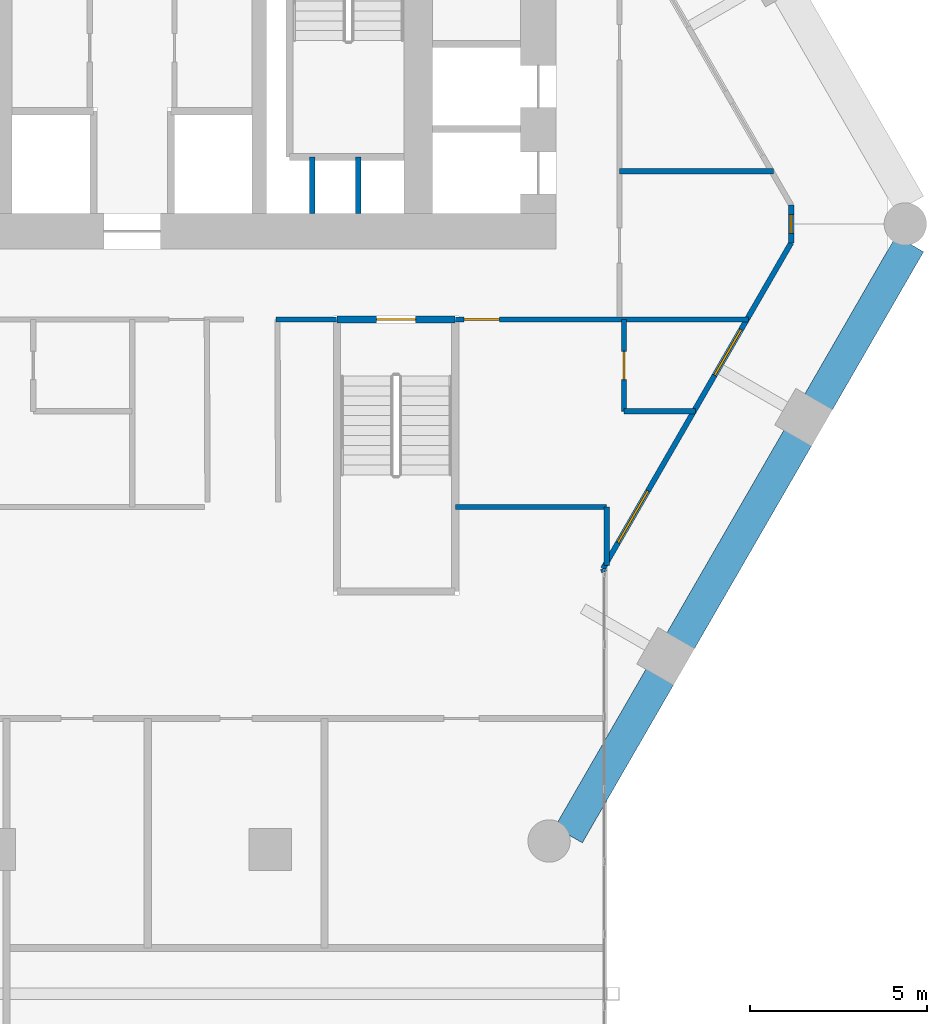
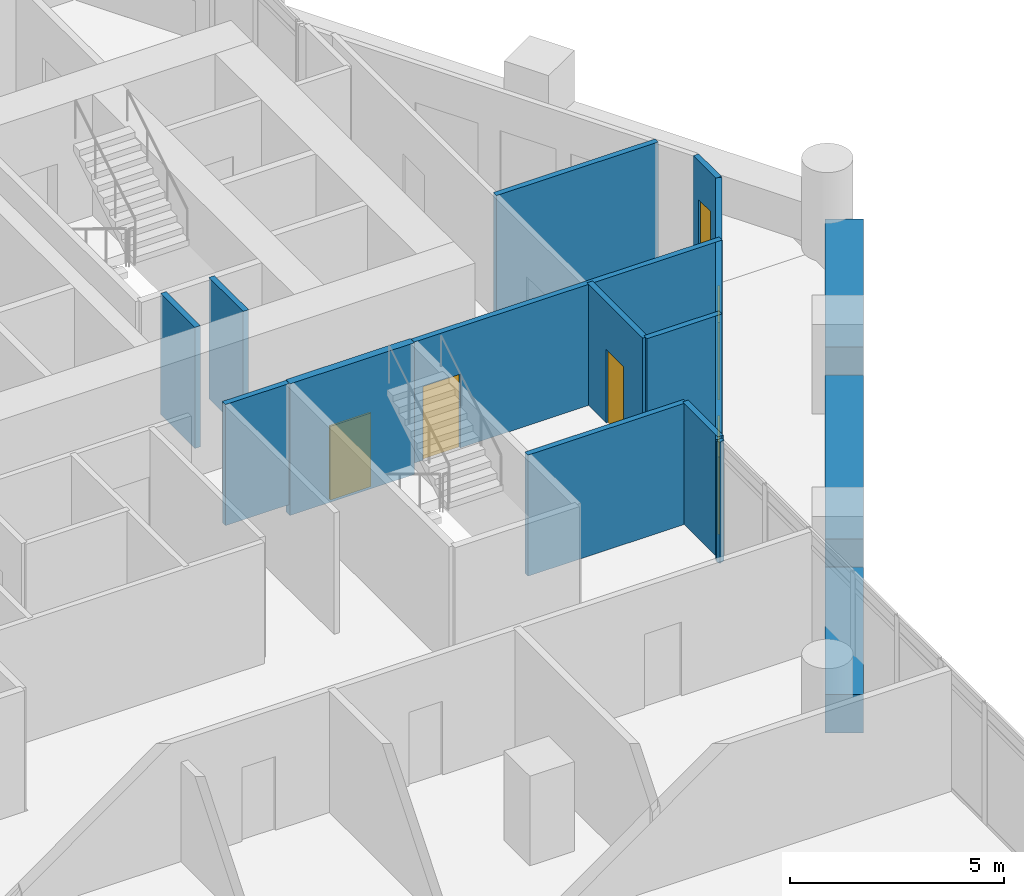
# One storey, part 24 of 28: 16 walls, 3 doors, 3 windows, 6 openings.
"""IFC4 building model written with IfcOpenShell, lengths in metres."""

from ifc_helpers import new_model, si_unit, direction, frame, frame_2d, origin, place, context, subcontext, project, spatial, rectangle, extrude, material, layer, layer_set, type_object, element, fill, save


model = new_model("IFC4")

# Units and contexts
model_context = context("Model", 3, precision=1e-05, world=origin(), true_north=direction((0.0, 1.0)))
body_context = subcontext(model_context, "Body", "Model", "MODEL_VIEW")
ifc_project = project(units=[si_unit("LENGTHUNIT", "METRE"), si_unit("AREAUNIT", "SQUARE_METRE"), si_unit("VOLUMEUNIT", "CUBIC_METRE"), si_unit("PLANEANGLEUNIT", "RADIAN"), si_unit("MASSUNIT", "GRAM", prefix="KILO")], contexts=[model_context])

# Site, building, storey
site_placement = place(None, origin())
site = spatial("IfcSite", under=ifc_project, at=site_placement, CompositionType="ELEMENT")
building_placement = place(site_placement, origin())
building = spatial("IfcBuilding", under=site, at=building_placement, Name="Ostrander Bayou Hotel Tower", CompositionType="ELEMENT")
storey_placement = place(building_placement, frame((0.0, 0.0, 134.75)))
storey = spatial("IfcBuildingStorey", under=building, at=storey_placement, Name="L33", CompositionType="ELEMENT", Elevation=134.75)

# Wall, openings, windows
ifc_material_1 = material(Name="Aluminium framed insulated wall", Category="aluminium")
ifc_layer_1 = layer(ifc_material_1, 0.14990234375)
ifc_layer_set_1 = layer_set([ifc_layer_1], Name="GW1 glass-line wall 150 mm")
wall_type_1 = type_object("IfcWallType", Name="GW1 glass-line wall 150 mm", PredefinedType="SOLIDWALL", material=ifc_layer_set_1)
wall_1_placement = place(storey_placement, frame((13.333984375, -10.7548828125, 0.0), z_axis=(0.0, 0.0, 1.0), x_axis=(0.499997430087, 0.866026887519, 0.0)))
wall_1 = element("IfcWall", 1, at=wall_1_placement, inside=storey, type_object=wall_type_1, Name="GW1 L33 SE 1", PredefinedType="SOLIDWALL", context=body_context, shape_type="SweptSolid", body=[
    extrude(rectangle(XDim=10.6572265625, YDim=0.14990234375, at=frame_2d((5.32861328125, 0.0))), origin(), (0.0, 0.0, 1.0), 3.449951171875),
])
opening_1_placement = place(wall_1_placement, frame((0.84716796875, 0.0, 0.14990234375)))
opening_1 = element("IfcOpeningElement", 2, at=opening_1_placement, cuts=wall_1, Name="Opening W8", PredefinedType="OPENING", context=body_context, shape_type="SweptSolid", body=[
    extrude(rectangle(XDim=1.699951171875, YDim=2.199951171875, at=frame_2d((0.85009765625, 1.10009765625))), frame((0.0, 0.074951171875, 0.0), z_axis=(0.0, -1.0, 0.0), x_axis=(1.0, 0.0, 0.0)), (0.0, 0.0, 1.0), 0.14990234375),
])
opening_2_placement = place(wall_1_placement, frame((6.322265625, 0.0, 0.14990234375)))
opening_2 = element("IfcOpeningElement", 3, at=opening_2_placement, cuts=wall_1, Name="Opening W12", PredefinedType="OPENING", context=body_context, shape_type="SweptSolid", body=[
    extrude(rectangle(XDim=1.5, YDim=2.199951171875, at=frame_2d((0.75, 1.10009765625))), frame((0.0, 0.074951171875, 0.0), z_axis=(0.0, -1.0, 0.0), x_axis=(1.0, 0.0, 0.0)), (0.0, 0.0, 1.0), 0.14990234375),
])
ifc_material_2 = material(Name="Aluminium and clear glass", Category="aluminium")
window_type_1 = type_object("IfcWindowType", Name="W12 fixed window 1500 mm, bath bay, zone 2", PartitioningType="SINGLE_PANEL", PredefinedType="WINDOW", material=ifc_material_2)
window_1_placement = place(opening_2_placement, origin())
window_1 = element("IfcWindow", 4, at=window_1_placement, inside=storey, type_object=window_type_1, Name="W12 L33 SE 3", OverallHeight=2.199951171875, OverallWidth=1.5, PartitioningType="SINGLE_PANEL", PredefinedType="WINDOW", context=body_context, shape_type="SweptSolid", body=[
    extrude(rectangle(XDim=1.5, YDim=2.199951171875, at=frame_2d((0.75, 1.10009765625))), frame((0.0, 0.030029296875, 0.0), z_axis=(0.0, -1.0, 0.0), x_axis=(1.0, 0.0, 0.0)), (0.0, 0.0, 1.0), 0.06005859375),
])
fill(opening_2, window_1)
ifc_material_3 = material(Name="Aluminium and clear glass", Category="aluminium")
window_type_2 = type_object("IfcWindowType", Name="W8 fixed window 1700 mm, bar storeys, zone 2", PartitioningType="SINGLE_PANEL", PredefinedType="WINDOW", material=ifc_material_3)
window_2_placement = place(opening_1_placement, origin())
window_2 = element("IfcWindow", 5, at=window_2_placement, inside=storey, type_object=window_type_2, Name="W8 L33 SE 2", OverallHeight=2.199951171875, OverallWidth=1.699951171875, PartitioningType="SINGLE_PANEL", PredefinedType="WINDOW", context=body_context, shape_type="SweptSolid", body=[
    extrude(rectangle(XDim=1.699951171875, YDim=2.199951171875, at=frame_2d((0.85009765625, 1.10009765625))), frame((0.0, 0.030029296875, 0.0), z_axis=(0.0, -1.0, 0.0), x_axis=(1.0, 0.0, 0.0)), (0.0, 0.0, 1.0), 0.06005859375),
])
fill(opening_1, window_2)

# Wall, opening, window
wall_2_placement = place(storey_placement, frame((18.66259765625, -1.525390625, 0.0), z_axis=(0.0, 0.0, 1.0), x_axis=(0.0, 1.0, 0.0)))
wall_2 = element("IfcWall", 6, at=wall_2_placement, inside=storey, type_object=wall_type_1, Name="GW1 L33 corner 5", PredefinedType="SOLIDWALL", context=body_context, shape_type="SweptSolid", body=[
    extrude(rectangle(XDim=1.065185546875, YDim=0.14990234375, at=frame_2d((0.53271484375, 0.0))), origin(), (0.0, 0.0, 1.0), 3.449951171875),
])
opening_3_placement = place(wall_2_placement, frame((0.257568359375, 0.0, 0.14990234375)))
opening_3 = element("IfcOpeningElement", 7, at=opening_3_placement, cuts=wall_2, Name="Opening W19", PredefinedType="OPENING", context=body_context, shape_type="SweptSolid", body=[
    extrude(rectangle(XDim=0.550048828125, YDim=2.199951171875, at=frame_2d((0.27490234375, 1.10009765625))), frame((0.0, 0.074951171875, 0.0), z_axis=(0.0, -1.0, 0.0), x_axis=(1.0, 0.0, 0.0)), (0.0, 0.0, 1.0), 0.14990234375),
])
ifc_material_4 = material(Name="Aluminium and clear glass", Category="aluminium")
window_type_3 = type_object("IfcWindowType", Name="W19 corner window 550 mm", PartitioningType="SINGLE_PANEL", PredefinedType="WINDOW", material=ifc_material_4)
window_3_placement = place(opening_3_placement, origin())
window_3 = element("IfcWindow", 8, at=window_3_placement, inside=storey, type_object=window_type_3, Name="W19 L33 corner 5", OverallHeight=2.199951171875, OverallWidth=0.550048828125, PartitioningType="SINGLE_PANEL", PredefinedType="WINDOW", context=body_context, shape_type="SweptSolid", body=[
    extrude(rectangle(XDim=0.550048828125, YDim=2.199951171875, at=frame_2d((0.27490234375, 1.10009765625))), frame((0.0, 0.030029296875, 0.0), z_axis=(0.0, -1.0, 0.0), x_axis=(1.0, 0.0, 0.0)), (0.0, 0.0, 1.0), 0.06005859375),
])
fill(opening_3, window_3)

# Walls
wall_3_placement = place(storey_placement, frame((13.333984375, -10.7548828125, 0.0), z_axis=(0.0, 0.0, 1.0), x_axis=(0.337751931921, -0.941235163221, 0.0)))
element("IfcWall", 9, at=wall_3_placement, inside=storey, type_object=wall_type_1, Name="GW1 L33 bar joint 3", PredefinedType="SOLIDWALL", context=body_context, shape_type="SweptSolid", body=[
    extrude(rectangle(XDim=0.098388671875, YDim=0.14990234375, at=frame_2d((0.04931640625, 0.0))), origin(), (0.0, 0.0, 1.0), 3.449951171875),
])
ifc_material_5 = material(Name="Limestone masonry", Category="masonry")
ifc_layer_2 = layer(ifc_material_5, 0.89990234375)
ifc_layer_set_2 = layer_set([ifc_layer_2], Name="PA2 limestone parapet 900 mm")
wall_type_2 = type_object("IfcWallType", Name="PA2 limestone parapet 900 mm", PredefinedType="PARAPET", material=ifc_layer_set_2)
wall_4_placement = place(storey_placement, frame((12.35888671875, -18.293701171875, 0.0), z_axis=(0.0, 0.0, 1.0), x_axis=(0.499996813733, 0.866027243369, 0.0)))
element("IfcWall", 10, at=wall_4_placement, inside=storey, type_object=wall_type_2, Name="PA2 L33 SE-1", PredefinedType="PARAPET", context=body_context, shape_type="SweptSolid", body=[
    extrude(rectangle(XDim=5.1865234375, YDim=0.89990234375, at=frame_2d((2.59326171875, 0.0))), origin(), (0.0, 0.0, 1.0), 1.10009765625),
])
wall_5_placement = place(storey_placement, frame((15.522216796875, -12.814697265625, 0.0), z_axis=(0.0, 0.0, 1.0), x_axis=(0.499999023957, 0.866025967302, 0.0)))
element("IfcWall", 11, at=wall_5_placement, inside=storey, type_object=wall_type_2, Name="PA2 L33 SE-2", PredefinedType="PARAPET", context=body_context, shape_type="SweptSolid", body=[
    extrude(rectangle(XDim=6.67333984375, YDim=0.89990234375, at=frame_2d((3.336669921875, 0.0))), origin(), (0.0, 0.0, 1.0), 1.10009765625),
])
wall_6_placement = place(storey_placement, frame((19.428955078125, -6.048095703125, 0.0), z_axis=(0.0, 0.0, 1.0), x_axis=(0.499996813733, 0.866027243369, 0.0)))
element("IfcWall", 12, at=wall_6_placement, inside=storey, type_object=wall_type_2, Name="PA2 L33 SE-3", PredefinedType="PARAPET", context=body_context, shape_type="SweptSolid", body=[
    extrude(rectangle(XDim=5.1865234375, YDim=0.89990234375, at=frame_2d((2.59326171875, 0.0))), origin(), (0.0, 0.0, 1.0), 1.10009765625),
])
ifc_material_6 = material(Name="Gypsum board partition", Category="finish")
ifc_layer_3 = layer(ifc_material_6, 0.14990234375)
ifc_layer_set_3 = layer_set([ifc_layer_3], Name="PT7 riser wall 150 mm, 2 hour")
wall_type_3 = type_object("IfcWallType", Name="PT7 riser wall 150 mm, 2 hour", PredefinedType="PARTITIONING", material=ifc_layer_set_3)
for number, where, z_axis, x_axis, name in (
    (13, (5.10009765625, -0.699951171875, 0.0), (0.0, 0.0, 1.0), (0.0, 1.0, 0.0), "cs:L33:015"),
    (14, (6.39990234375, -0.699951171875, 0.0), (0.0, 0.0, 1.0), (0.0, 1.0, 0.0), "cs:L33:016"),
):
    element("IfcWall", number, at=place(storey_placement, frame(where, z_axis=z_axis, x_axis=x_axis)), inside=storey, type_object=wall_type_3, Name=name, PredefinedType="PARTITIONING", context=body_context, shape_type="SweptSolid", body=[
        extrude(rectangle(XDim=1.599853515625, YDim=0.14990234375, at=frame_2d((0.7998046875, 0.0))), origin(), (0.0, 0.0, 1.0), 3.449951171875),
    ])
ifc_material_7 = material(Name="Gypsum board partition", Category="finish")
ifc_layer_4 = layer(ifc_material_7, 0.14990234375)
ifc_layer_set_4 = layer_set([ifc_layer_4], Name="PT8 service band wall 150 mm, 1 hour")
wall_type_4 = type_object("IfcWallType", Name="PT8 service band wall 150 mm, 1 hour", PredefinedType="PARTITIONING", material=ifc_layer_set_4)
wall_7_placement = place(storey_placement, frame((9.159912109375, -9.010009765625, 0.0), z_axis=(0.0, 0.0, 1.0), x_axis=(1.0, 0.0, 0.0)))
element("IfcWall", 15, at=wall_7_placement, inside=storey, type_object=wall_type_4, Name="gw:L33:003", PredefinedType="PARTITIONING", context=body_context, shape_type="SweptSolid", body=[
    extrude(rectangle(XDim=4.280029296875, YDim=0.14990234375, at=frame_2d((2.14013671875, 0.0))), origin(), (0.0, 0.0, 1.0), 3.449951171875),
])
wall_8_placement = place(storey_placement, frame((13.929931640625, -6.300048828125, 0.0), z_axis=(0.0, 0.0, 1.0), x_axis=(1.0, 0.0, 0.0)))
element("IfcWall", 16, at=wall_8_placement, inside=storey, type_object=wall_type_4, Name="gw:L33:006", PredefinedType="PARTITIONING", context=body_context, shape_type="SweptSolid", body=[
    extrude(rectangle(XDim=2.028076171875, YDim=0.14990234375, at=frame_2d((1.01416015625, 0.0))), origin(), (0.0, 0.0, 1.0), 3.449951171875),
])
wall_9_placement = place(storey_placement, frame((4.074951171875, -3.699951171875, 0.0), z_axis=(0.0, 0.0, 1.0), x_axis=(1.0, 0.0, 0.0)))
element("IfcWall", 17, at=wall_9_placement, inside=storey, type_object=wall_type_4, Name="gw:L33:009", PredefinedType="PARTITIONING", context=body_context, shape_type="SweptSolid", body=[
    extrude(rectangle(XDim=1.715087890625, YDim=0.14990234375, at=frame_2d((0.857421875, 0.0))), origin(), (0.0, 0.0, 1.0), 3.449951171875),
])

# Wall, opening, door
wall_10_placement = place(storey_placement, frame((9.159912109375, -3.699951171875, 0.0), z_axis=(0.0, 0.0, 1.0), x_axis=(1.0, 0.0, 0.0)))
wall_10 = element("IfcWall", 18, at=wall_10_placement, inside=storey, type_object=wall_type_4, Name="gw:L33:010", PredefinedType="PARTITIONING", context=body_context, shape_type="SweptSolid", body=[
    extrude(rectangle(XDim=8.299072265625, YDim=0.14990234375, at=frame_2d((4.1494140625, 0.0))), origin(), (0.0, 0.0, 1.0), 3.449951171875),
])
opening_4_placement = place(wall_10_placement, frame((0.239990234375, 0.0, 0.0)))
opening_4 = element("IfcOpeningElement", 19, at=opening_4_placement, cuts=wall_10, Name="Opening T32-406", PredefinedType="OPENING", context=body_context, shape_type="SweptSolid", body=[
    extrude(rectangle(XDim=1.0, YDim=2.10009765625, at=frame_2d((0.5, 1.050048828125))), frame((0.0, 0.074951171875, 0.0), z_axis=(0.0, -1.0, 0.0), x_axis=(1.0, 0.0, 0.0)), (0.0, 0.0, 1.0), 0.14990234375),
])
ifc_material_8 = material(Name="Timber door leaf", Category="wood")
door_type_1 = type_object("IfcDoorType", Name="D1 guest room door 1000 x 2100 mm, 30 minute", OperationType="SINGLE_SWING_LEFT", PredefinedType="DOOR", material=ifc_material_8)
door_1_placement = place(opening_4_placement, origin())
door_1 = element("IfcDoor", 20, at=door_1_placement, inside=storey, type_object=door_type_1, Name="dr:L33:406", OperationType="SINGLE_SWING_LEFT", OverallHeight=2.10009765625, OverallWidth=1.0, PredefinedType="DOOR", context=body_context, shape_type="SweptSolid", body=[
    extrude(rectangle(XDim=1.0, YDim=2.10009765625, at=frame_2d((0.5, 1.050048828125))), frame((0.0, 0.02490234375, 0.0), z_axis=(0.0, -1.0, 0.0), x_axis=(1.0, 0.0, 0.0)), (0.0, 0.0, 1.0), 0.050048828125),
])
fill(opening_4, door_1)

# Wall
wall_11_placement = place(storey_placement, frame((13.800048828125, 0.5, 0.0), z_axis=(0.0, 0.0, 1.0), x_axis=(1.0, 0.0, 0.0)))
element("IfcWall", 21, at=wall_11_placement, inside=storey, type_object=wall_type_4, Name="gw:L33:012", PredefinedType="PARTITIONING", context=body_context, shape_type="SweptSolid", body=[
    extrude(rectangle(XDim=4.35986328125, YDim=0.14990234375, at=frame_2d((2.179931640625, 0.0))), origin(), (0.0, 0.0, 1.0), 3.449951171875),
])

# Wall, opening, door
wall_12_placement = place(storey_placement, frame((13.929931640625, -6.300048828125, 0.0), z_axis=(0.0, 0.0, 1.0), x_axis=(0.0, 1.0, 0.0)))
wall_12 = element("IfcWall", 22, at=wall_12_placement, inside=storey, type_object=wall_type_4, Name="gw:L33:015", PredefinedType="PARTITIONING", context=body_context, shape_type="SweptSolid", body=[
    extrude(rectangle(XDim=2.60009765625, YDim=0.14990234375, at=frame_2d((1.300048828125, 0.0))), origin(), (0.0, 0.0, 1.0), 3.449951171875),
])
opening_5_placement = place(wall_12_placement, frame((0.89990234375, 0.0, 0.0)))
opening_5 = element("IfcOpeningElement", 23, at=opening_5_placement, cuts=wall_12, Name="Opening T32-407", PredefinedType="OPENING", context=body_context, shape_type="SweptSolid", body=[
    extrude(rectangle(XDim=0.800048828125, YDim=2.10009765625, at=frame_2d((0.39990234375, 1.050048828125))), frame((0.0, 0.074951171875, 0.0), z_axis=(0.0, -1.0, 0.0), x_axis=(1.0, 0.0, 0.0)), (0.0, 0.0, 1.0), 0.14990234375),
])
ifc_material_9 = material(Name="Timber door leaf", Category="wood")
door_type_2 = type_object("IfcDoorType", Name="D2 bathroom door 800 x 2100 mm", OperationType="SINGLE_SWING_LEFT", PredefinedType="DOOR", material=ifc_material_9)
door_2_placement = place(opening_5_placement, origin())
door_2 = element("IfcDoor", 24, at=door_2_placement, inside=storey, type_object=door_type_2, Name="dr:L33:407", OperationType="SINGLE_SWING_RIGHT", OverallHeight=2.10009765625, OverallWidth=0.800048828125, PredefinedType="DOOR", context=body_context, shape_type="SweptSolid", body=[
    extrude(rectangle(XDim=0.800048828125, YDim=2.10009765625, at=frame_2d((0.39990234375, 1.050048828125))), frame((0.0, 0.02490234375, 0.0), z_axis=(0.0, -1.0, 0.0), x_axis=(1.0, 0.0, 0.0)), (0.0, 0.0, 1.0), 0.050048828125),
])
fill(opening_5, door_2)

# Wall
wall_13_placement = place(storey_placement, frame((13.43994140625, -10.660888671875, 0.0), z_axis=(0.0, 0.0, 1.0), x_axis=(0.0, 1.0, 0.0)))
element("IfcWall", 25, at=wall_13_placement, inside=storey, type_object=wall_type_4, Name="gw:L33:017", PredefinedType="PARTITIONING", context=body_context, shape_type="SweptSolid", body=[
    extrude(rectangle(XDim=1.65087890625, YDim=0.14990234375, at=frame_2d((0.825439453125, 0.0))), origin(), (0.0, 0.0, 1.0), 3.449951171875),
])

# Wall, opening, door
ifc_material_10 = material(Name="Concrete f'c 45 MPa", Category="concrete")
ifc_layer_5 = layer(ifc_material_10, 0.199951171875)
ifc_layer_set_5 = layer_set([ifc_layer_5], Name="SW5 stair enclosure wall 200 mm f'c 45 MPa")
wall_type_5 = type_object("IfcWallType", Name="SW5 stair enclosure wall 200 mm f'c 45 MPa", PredefinedType="SOLIDWALL", material=ifc_layer_set_5)
wall_14_placement = place(storey_placement, frame((5.800048828125, -3.699951171875, -0.300048828125), z_axis=(0.0, 0.0, 1.0), x_axis=(1.0, 0.0, 0.0)))
wall_14 = element("IfcWall", 26, at=wall_14_placement, inside=storey, type_object=wall_type_5, Name="cs:L33:017", PredefinedType="SOLIDWALL", context=body_context, shape_type="SweptSolid", body=[
    extrude(rectangle(XDim=3.349853515625, YDim=0.199951171875, at=frame_2d((1.6748046875, 0.0))), origin(), (0.0, 0.0, 1.0), 3.75),
])
opening_6_placement = place(wall_14_placement, frame((1.125, 0.0, 0.0)))
opening_6 = element("IfcOpeningElement", 27, at=opening_6_placement, cuts=wall_14, Name="Opening T32-007", PredefinedType="OPENING", context=body_context, shape_type="SweptSolid", body=[
    extrude(rectangle(XDim=1.10009765625, YDim=2.10009765625, at=frame_2d((0.550048828125, 1.050048828125))), frame((0.0, 0.10009765625, 0.0), z_axis=(0.0, -1.0, 0.0), x_axis=(1.0, 0.0, 0.0)), (0.0, 0.0, 1.0), 0.199951171875),
])
ifc_material_11 = material(Name="Timber door leaf", Category="wood")
door_type_3 = type_object("IfcDoorType", Name="D5 stair door 1100 x 2100 mm, 90 minute", OperationType="SINGLE_SWING_LEFT", PredefinedType="DOOR", material=ifc_material_11)
door_3_placement = place(opening_6_placement, origin())
door_3 = element("IfcDoor", 28, at=door_3_placement, inside=storey, type_object=door_type_3, Name="dr:L33:007", OperationType="SINGLE_SWING_LEFT", OverallHeight=2.10009765625, OverallWidth=1.10009765625, PredefinedType="DOOR", context=body_context, shape_type="SweptSolid", body=[
    extrude(rectangle(XDim=1.10009765625, YDim=2.10009765625, at=frame_2d((0.550048828125, 1.050048828125))), frame((0.0, 0.02490234375, 0.0), z_axis=(0.0, -1.0, 0.0), x_axis=(1.0, 0.0, 0.0)), (0.0, 0.0, 1.0), 0.050048828125),
])
fill(opening_6, door_3)

save(model, "model.ifc")
